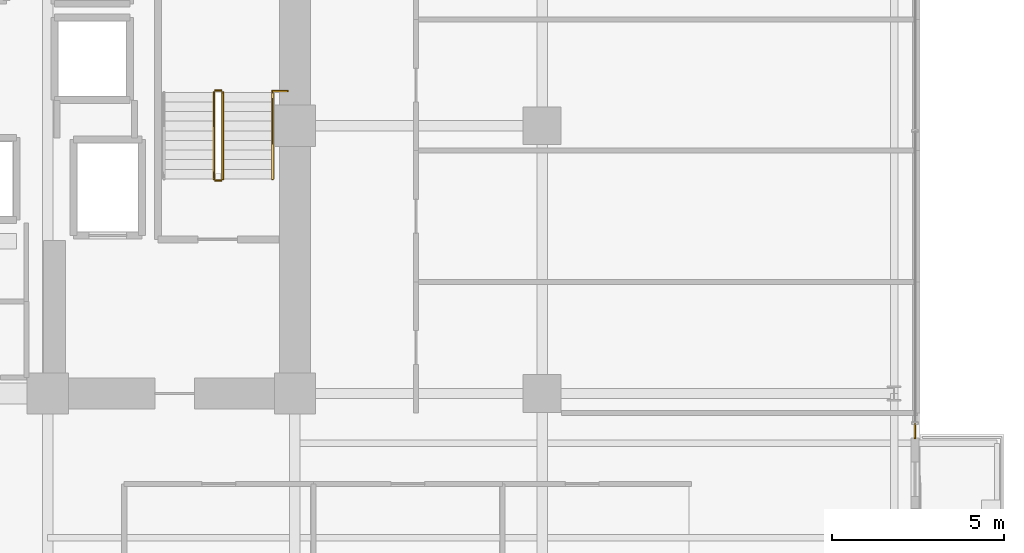
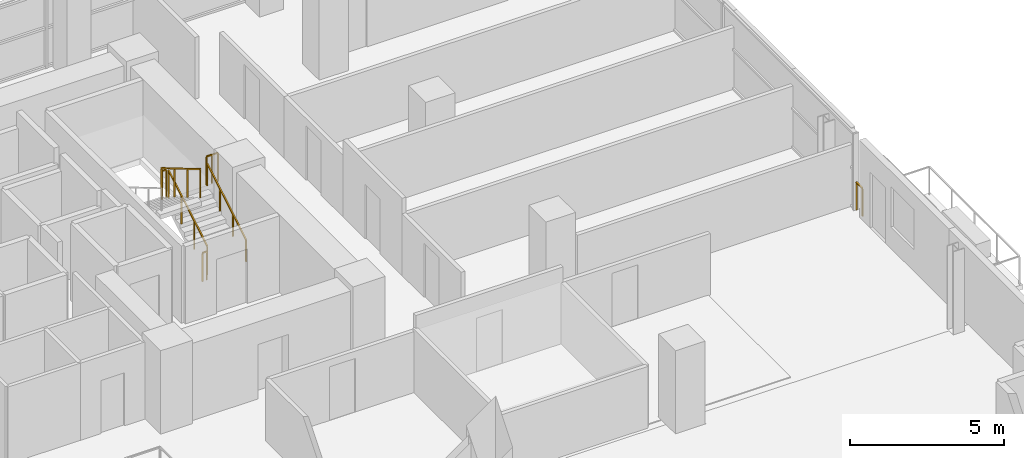
# One storey, part 26 of 27: 7 railings.
"""IFC4 building model written with IfcOpenShell, lengths in metres."""

import ifcopenshell
import ifcopenshell.guid

model = None  # the IFC model being written
_history = None  # IfcOwnerHistory: only IFC2X3 demands one
_inside = {}  # id of a spatial element -> (the spatial element, [elements in it])
_under = {}  # id of a project, library or spatial element -> (it, [spatial elements below it])
_declared = {}  # id of a project -> (the project, [libraries it declares])
_typed = {}  # id of a type object -> (the type object, [elements of that type])
_made_of = {}  # id of a material, layer set ... -> (it, [elements and type objects made of it])


def new_model(schema):
    """Start an empty IFC model of exactly this schema.

    Asked for "IFC4X3", IfcOpenShell would pick the latest addendum, in which some entities
    have other attributes; the version numbers below select the first issue.
    IFC2X3 requires an IfcOwnerHistory on every rooted entity: one is made here for all.
    """
    global model, _history
    if schema == "IFC4X3":
        model = ifcopenshell.file(schema_version=(4, 3, 0, 0))
    else:
        model = ifcopenshell.file(schema=schema)
    _inside.clear()
    _under.clear()
    _declared.clear()
    _typed.clear()
    _made_of.clear()
    _history = None
    if model.schema == "IFC2X3":
        org = make("IfcOrganization", Name="unknown")
        user = make(
            "IfcPersonAndOrganization",
            ThePerson=make("IfcPerson", FamilyName="unknown"),
            TheOrganization=org,
        )
        app = make(
            "IfcApplication",
            ApplicationDeveloper=org,
            Version="unknown",
            ApplicationFullName="unknown",
            ApplicationIdentifier="unknown",
        )
        _history = make(
            "IfcOwnerHistory",
            OwningUser=user,
            OwningApplication=app,
            ChangeAction="ADDED",
            CreationDate=0,
        )
    return model


def make(cls, **values):
    """One entity of the class cls with the attributes given. An attribute that is None is left unset."""
    return model.create_entity(
        cls, **{name: value for name, value in values.items() if value is not None}
    )


def rooted(cls, **values):
    """An entity with a GlobalId (a new one), such as an element, a storey or a relation."""
    return make(cls, GlobalId=ifcopenshell.guid.new(), OwnerHistory=_history, **values)


def si_unit(unit_type, name, prefix=None):
    """IfcSIUnit, for example si_unit("LENGTHUNIT", "METRE", prefix="MILLI")."""
    return make("IfcSIUnit", UnitType=unit_type, Prefix=prefix, Name=name)


def assignment(units):
    """IfcUnitAssignment: the units of a project."""
    return None if units is None else make("IfcUnitAssignment", Units=units)


def point(xyz):
    """IfcCartesianPoint."""
    return None if xyz is None else make("IfcCartesianPoint", Coordinates=xyz)


def direction(xyz):
    """IfcDirection."""
    return None if xyz is None else make("IfcDirection", DirectionRatios=xyz)


def frame(location, z_axis=None, x_axis=None):
    """IfcAxis2Placement3D, a coordinate frame: its origin and axes. An axis left out is left unset."""
    return make(
        "IfcAxis2Placement3D",
        Location=point(location),
        Axis=direction(z_axis),
        RefDirection=direction(x_axis),
    )


def frame_2d(location, x_axis=None):
    """IfcAxis2Placement2D, a coordinate frame in the plane: its origin and x axis."""
    return make(
        "IfcAxis2Placement2D", Location=point(location), RefDirection=direction(x_axis)
    )


def origin():
    """The frame at (0, 0, 0) with its axes left unset."""
    return frame((0.0, 0.0, 0.0))


def origin_2d():
    """The frame at (0, 0) in the plane with its x axis left unset."""
    return frame_2d((0.0, 0.0))


def place(relative_to, where):
    """IfcLocalPlacement: puts the frame where relative to a parent placement (None: the world)."""
    return make(
        "IfcLocalPlacement", PlacementRelTo=relative_to, RelativePlacement=where
    )


def context(
    kind, dimensions, precision=None, world=None, true_north=None, identifier=None
):
    """IfcGeometricRepresentationContext, for example the 3D "Model" context."""
    return make(
        "IfcGeometricRepresentationContext",
        ContextIdentifier=identifier,
        ContextType=kind,
        CoordinateSpaceDimension=dimensions,
        Precision=precision,
        WorldCoordinateSystem=world,
        TrueNorth=true_north,
    )


def subcontext(parent, identifier, kind, view, scale=None):
    """IfcGeometricRepresentationSubContext, for example "Body" below "Model"."""
    return make(
        "IfcGeometricRepresentationSubContext",
        ContextIdentifier=identifier,
        ContextType=kind,
        ParentContext=parent,
        TargetScale=scale,
        TargetView=view,
    )


def project(units=None, contexts=None):
    """IfcProject with its units and contexts."""
    return rooted(
        "IfcProject",
        Name="project",
        RepresentationContexts=contexts,
        UnitsInContext=assignment(units),
    )


def spatial(cls, under=None, at=None, **own):
    """A site, building, storey or space (cls), placed at a placement, below another one or the project."""
    s = rooted(cls, ObjectPlacement=at, **own)
    if under is not None:
        _under.setdefault(under.id(), (under, []))[1].append(s)
    return s


def profile(cls, at=None, kind="AREA", **sizes):
    """A parametric profile (cls). Its sizes go by their IFC names, for example OverallWidth=200.0."""
    return make(cls, ProfileType=kind, Position=at, **sizes)


def rectangle(**sizes):
    """IfcRectangleProfileDef."""
    return profile("IfcRectangleProfileDef", **sizes)


def extrude(swept, where, along, depth):
    """IfcExtrudedAreaSolid: the profile swept, set in the frame where, extruded along a direction by depth."""
    return make(
        "IfcExtrudedAreaSolid",
        SweptArea=swept,
        Position=where,
        ExtrudedDirection=direction(along),
        Depth=depth,
    )


def shape(context_of_items, identifier, shape_type, items):
    """IfcShapeRepresentation: the items that make up one representation, for example the "Body"."""
    return make(
        "IfcShapeRepresentation",
        ContextOfItems=context_of_items,
        RepresentationIdentifier=identifier,
        RepresentationType=shape_type,
        Items=items,
    )


def material(Name=None, Category=None):
    """IfcMaterial."""
    return make("IfcMaterial", Name=Name, Category=Category)


def made_of(thing, what):
    """Note that an element or type object is made of a material, layer set ...; save() writes the relation."""
    if what is not None:
        _made_of.setdefault(what.id(), (what, []))[1].append(thing)
    return thing


def type_object(cls, material=None, **own):
    """A type object (cls), such as IfcWallType, which elements share."""
    return made_of(rooted(cls, **own), material)


def element(
    cls,
    number,
    at=None,
    inside=None,
    cuts=None,
    type_object=None,
    material=None,
    context=None,
    identifier="Body",
    shape_type=None,
    held_by="IfcProductDefinitionShape",
    body=None,
    shapes=None,
    **own,
):
    """One element of the class cls, such as IfcWall. Its Tag is "e" and its number.

    at: its placement. inside: the storey or other place that contains it. cuts: it is an
    opening in that element (IfcRelVoidsElement). A single representation is given by context,
    identifier, shape_type and body (its items); several are given by shapes. held_by: the class
    of the entity that holds the representations. save() writes the other relations.
    """
    e = rooted(cls, Tag="e%d" % number, ObjectPlacement=at, **own)
    if body is not None:
        shapes = [shape(context, identifier, shape_type, body)]
    if shapes is not None:
        e.Representation = make(held_by, Representations=shapes)
    if inside is not None:
        _inside.setdefault(inside.id(), (inside, []))[1].append(e)
    if cuts is not None:
        rooted(
            "IfcRelVoidsElement", RelatingBuildingElement=cuts, RelatedOpeningElement=e
        )
    if type_object is not None:
        _typed.setdefault(type_object.id(), (type_object, []))[1].append(e)
    return made_of(e, material)


def aggregate(whole, parts):
    """IfcRelAggregates: a whole, such as a stair, and the parts it consists of."""
    return rooted("IfcRelAggregates", RelatingObject=whole, RelatedObjects=parts)


def save(model, path):
    """Write the relations noted so far, then the file.

    IfcRelAggregates (storeys below a building ...), IfcRelContainedInSpatialStructure (elements
    in a storey), IfcRelDefinesByType, IfcRelAssociatesMaterial and IfcRelDeclares: one each for
    every whole, place, type object, material and project.
    """
    for whole, parts in _under.values():
        aggregate(whole, parts)
    for where, things in _inside.values():
        rooted(
            "IfcRelContainedInSpatialStructure",
            RelatedElements=things,
            RelatingStructure=where,
        )
    for kind, things in _typed.values():
        rooted("IfcRelDefinesByType", RelatedObjects=things, RelatingType=kind)
    for what, things in _made_of.values():
        rooted("IfcRelAssociatesMaterial", RelatedObjects=things, RelatingMaterial=what)
    for by, libraries in _declared.values():
        rooted("IfcRelDeclares", RelatingContext=by, RelatedDefinitions=libraries)
    model.write(path)


model = new_model("IFC4")

# Units and contexts
model_context = context("Model", 3, precision=1e-05, world=origin(), true_north=direction((0.0, 1.0)))
body_context = subcontext(model_context, "Body", "Model", "MODEL_VIEW")
ifc_project = project(units=[si_unit("LENGTHUNIT", "METRE"), si_unit("AREAUNIT", "SQUARE_METRE"), si_unit("VOLUMEUNIT", "CUBIC_METRE"), si_unit("PLANEANGLEUNIT", "RADIAN"), si_unit("MASSUNIT", "GRAM", prefix="KILO")], contexts=[model_context])

# Site, building, storey
site_placement = place(None, origin())
site = spatial("IfcSite", under=ifc_project, at=site_placement, CompositionType="ELEMENT")
building_placement = place(site_placement, origin())
building = spatial("IfcBuilding", under=site, at=building_placement, Name="Zarnakvel Exchange Tower", CompositionType="ELEMENT")
storey_placement = place(building_placement, frame((0.0, 0.0, 76.89990234375)))
storey = spatial("IfcBuildingStorey", under=building, at=storey_placement, Name="L21", CompositionType="ELEMENT", Elevation=76.89990234375)

# Railings
ifc_material_1 = material(Name="Architectural Bronze Anodised Aluminium", Category="aluminium")
railing_type_1 = type_object("IfcRailingType", Name="GR-02", PredefinedType="GUARDRAIL", material=ifc_material_1)
railing_1_placement = place(storey_placement, frame((32.4599609375, -2.10009765625, 0.0)))
element("IfcRailing", 1, at=railing_1_placement, inside=storey, type_object=railing_type_1, Name="L21 Corner Spandrel Balustrade #9", PredefinedType="GUARDRAIL", context=body_context, shape_type="SweptSolid", body=[
    extrude(rectangle(XDim=0.048095703125, YDim=0.048095703125, at=origin_2d()), frame((0.0, 0.0, 1.09619140625), z_axis=(0.0, -1.0, 0.0), x_axis=(1.0, 0.0, 0.0)), (0.0, 0.0, 1.0), 0.39990234375),
    extrude(rectangle(XDim=0.0419921875, YDim=0.0419921875, at=origin_2d()), origin(), (0.0, 0.0, 1.0), 1.072021484375),
    extrude(rectangle(XDim=0.0419921875, YDim=0.0419921875, at=origin_2d()), frame((0.0, -0.39990234375, 0.0)), (0.0, 0.0, 1.0), 1.072021484375),
])
ifc_material_2 = material(Name="Brushed Stainless Steel", Category="steel")
railing_type_2 = type_object("IfcRailingType", Name="HR-01", PredefinedType="HANDRAIL", material=ifc_material_2)
railing_2_placement = place(storey_placement, frame((13.75, 5.050048828125, 0.1650390625)))
element("IfcRailing", 2, at=railing_2_placement, inside=storey, type_object=railing_type_2, Name="L21 ST-02 stair handrail 1", PredefinedType="HANDRAIL", context=body_context, shape_type="SweptSolid", body=[
    extrude(rectangle(XDim=0.048095703125, YDim=0.048095703125, at=origin_2d()), frame((0.0, 0.0, 0.8759765625), z_axis=(0.0, 0.86152411907, 0.507716645641), x_axis=(-1.0, 0.0, 0.0)), (0.0, 0.0, 1.0), 2.925048828125),
    extrude(rectangle(XDim=0.0419921875, YDim=0.0419921875, at=origin_2d()), origin(), (0.0, 0.0, 1.0), 0.851806640625),
    extrude(rectangle(XDim=0.0419921875, YDim=0.0419921875, at=origin_2d()), frame((0.0, 0.840087890625, 0.4951171875)), (0.0, 0.0, 1.0), 0.851806640625),
    extrude(rectangle(XDim=0.0419921875, YDim=0.0419921875, at=origin_2d()), frame((0.0, 1.679931640625, 0.989990234375)), (0.0, 0.0, 1.0), 0.851806640625),
    extrude(rectangle(XDim=0.0419921875, YDim=0.0419921875, at=origin_2d()), frame((0.0, 2.52001953125, 1.485107421875)), (0.0, 0.0, 1.0), 0.851806640625),
])
railing_type_3 = type_object("IfcRailingType", Name="SG-01", PredefinedType="GUARDRAIL", material=ifc_material_1)
railing_3_placement = place(storey_placement, frame((12.300048828125, 5.050048828125, 0.1650390625)))
element("IfcRailing", 3, at=railing_3_placement, inside=storey, type_object=railing_type_3, Name="L21 ST-02 stair guard 1", PredefinedType="GUARDRAIL", context=body_context, shape_type="SweptSolid", body=[
    extrude(rectangle(XDim=0.048095703125, YDim=0.048095703125, at=origin_2d()), frame((0.0, 0.0, 1.1259765625), z_axis=(0.0, 0.86152411907, 0.507716645641), x_axis=(-1.0, 0.0, 0.0)), (0.0, 0.0, 1.0), 2.925048828125),
    extrude(rectangle(XDim=0.0419921875, YDim=0.0419921875, at=origin_2d()), origin(), (0.0, 0.0, 1.0), 1.101806640625),
    extrude(rectangle(XDim=0.0419921875, YDim=0.0419921875, at=origin_2d()), frame((0.0, 0.840087890625, 0.4951171875)), (0.0, 0.0, 1.0), 1.101806640625),
    extrude(rectangle(XDim=0.0419921875, YDim=0.0419921875, at=origin_2d()), frame((0.0, 1.679931640625, 0.989990234375)), (0.0, 0.0, 1.0), 1.101806640625),
    extrude(rectangle(XDim=0.0419921875, YDim=0.0419921875, at=origin_2d()), frame((0.0, 2.52001953125, 1.485107421875)), (0.0, 0.0, 1.0), 1.101806640625),
])
railing_4_placement = place(storey_placement, frame((12.25, 7.6201171875, 1.650146484375)))
element("IfcRailing", 4, at=railing_4_placement, inside=storey, type_object=railing_type_3, Name="L21 ST-02 stair guard 2", PredefinedType="GUARDRAIL", context=body_context, shape_type="SweptSolid", body=[
    extrude(rectangle(XDim=0.048095703125, YDim=0.048095703125, at=origin_2d()), frame((0.0, 0.0, 1.1259765625), z_axis=(-1.0, 0.0, 0.0), x_axis=(0.0, -1.0, 0.0)), (0.0, 0.0, 1.0), 0.159912109375),
    extrude(rectangle(XDim=0.0419921875, YDim=0.0419921875, at=origin_2d()), origin(), (0.0, 0.0, 1.0), 1.101806640625),
    extrude(rectangle(XDim=0.0419921875, YDim=0.0419921875, at=origin_2d()), frame((-0.159912109375, 0.0, 0.0)), (0.0, 0.0, 1.0), 1.101806640625),
])
railing_5_placement = place(storey_placement, frame((12.0400390625, 7.570068359375, 1.815185546875)))
element("IfcRailing", 5, at=railing_5_placement, inside=storey, type_object=railing_type_3, Name="L21 ST-02 stair guard 3", PredefinedType="GUARDRAIL", context=body_context, shape_type="SweptSolid", body=[
    extrude(rectangle(XDim=0.048095703125, YDim=0.048095703125, at=origin_2d()), frame((0.0, 0.0, 1.1259765625), z_axis=(0.0, -0.861560626758, 0.507654692109), x_axis=(1.0, 0.0, 0.0)), (0.0, 0.0, 1.0), 2.925048828125),
    extrude(rectangle(XDim=0.0419921875, YDim=0.0419921875, at=origin_2d()), origin(), (0.0, 0.0, 1.0), 1.101806640625),
    extrude(rectangle(XDim=0.0419921875, YDim=0.0419921875, at=origin_2d()), frame((0.0, -0.840087890625, 0.494873046875)), (0.0, 0.0, 1.0), 1.101806640625),
    extrude(rectangle(XDim=0.0419921875, YDim=0.0419921875, at=origin_2d()), frame((0.0, -1.679931640625, 0.989990234375)), (0.0, 0.0, 1.0), 1.101806640625),
    extrude(rectangle(XDim=0.0419921875, YDim=0.0419921875, at=origin_2d()), frame((0.0, -2.52001953125, 1.48486328125)), (0.0, 0.0, 1.0), 1.101806640625),
])
railing_6_placement = place(storey_placement, frame((12.25, 5.0, 0.0)))
element("IfcRailing", 6, at=railing_6_placement, inside=storey, type_object=railing_type_3, Name="L21 ST-02 stair guard 4", PredefinedType="GUARDRAIL", context=body_context, shape_type="SweptSolid", body=[
    extrude(rectangle(XDim=0.048095703125, YDim=0.048095703125, at=origin_2d()), frame((0.0, 0.0, 1.1259765625), z_axis=(-1.0, 0.0, 0.0), x_axis=(0.0, -1.0, 0.0)), (0.0, 0.0, 1.0), 0.159912109375),
    extrude(rectangle(XDim=0.0419921875, YDim=0.0419921875, at=origin_2d()), origin(), (0.0, 0.0, 1.0), 1.101806640625),
    extrude(rectangle(XDim=0.0419921875, YDim=0.0419921875, at=origin_2d()), frame((-0.159912109375, 0.0, 0.0)), (0.0, 0.0, 1.0), 1.101806640625),
])
railing_7_placement = place(storey_placement, frame((13.75, 7.610107421875, 1.650146484375)))
element("IfcRailing", 7, at=railing_7_placement, inside=storey, type_object=railing_type_3, Name="L21 ST-02 Landing Slot Guardrail", PredefinedType="GUARDRAIL", context=body_context, shape_type="SweptSolid", body=[
    extrude(rectangle(XDim=0.048095703125, YDim=0.048095703125, at=origin_2d()), frame((0.0, 0.0, 1.1259765625), z_axis=(1.0, 0.0, 0.0), x_axis=(0.0, 1.0, 0.0)), (0.0, 0.0, 1.0), 0.429931640625),
    extrude(rectangle(XDim=0.0419921875, YDim=0.0419921875, at=origin_2d()), origin(), (0.0, 0.0, 1.0), 1.101806640625),
    extrude(rectangle(XDim=0.0419921875, YDim=0.0419921875, at=origin_2d()), frame((0.21484375, 0.0, 0.0)), (0.0, 0.0, 1.0), 1.101806640625),
    extrude(rectangle(XDim=0.0419921875, YDim=0.0419921875, at=origin_2d()), frame((0.429931640625, 0.0, 0.0)), (0.0, 0.0, 1.0), 1.101806640625),
])

save(model, "model.ifc")
